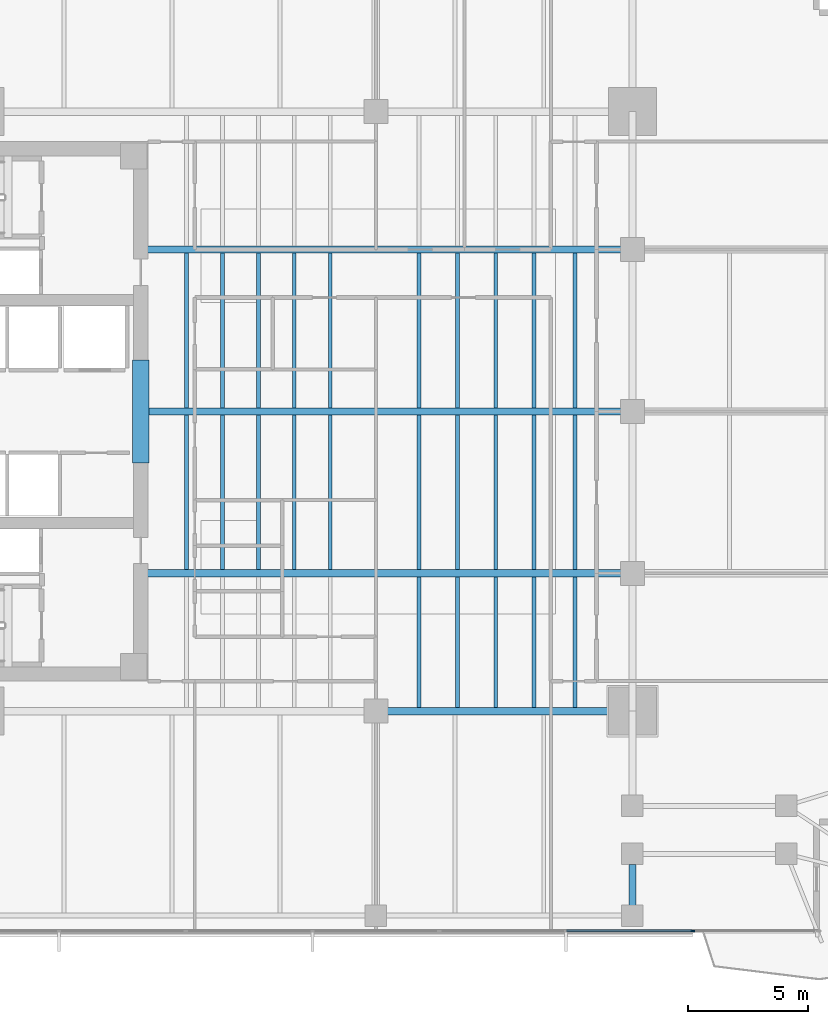
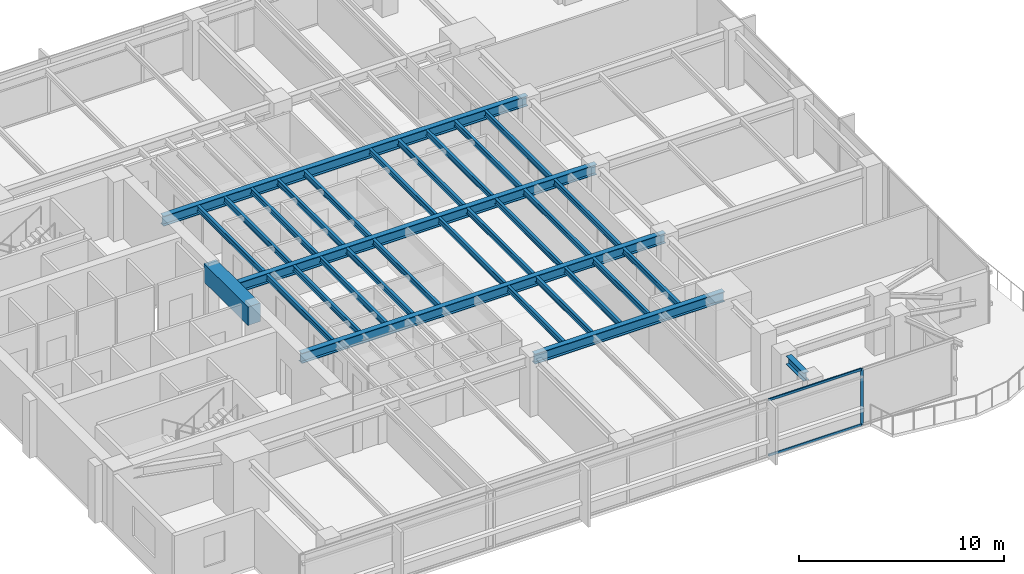
# One storey, part 3 of 14: 31 beams, 3 members, 1 element without a shape of its own.
"""IFC4 building model written with IfcOpenShell, lengths in metres."""

from ifc_helpers import new_model, si_unit, direction, frame, origin, origin_2d, place, context, subcontext, project, spatial, rectangle, i_section, extrude, material, layer, layer_set, material_profile, profile_set, type_object, element, aggregate, save


model = new_model("IFC4")

# Units and contexts
model_context = context("Model", 3, precision=1e-05, world=origin(), true_north=direction((0.0, 1.0)))
body_context = subcontext(model_context, "Body", "Model", "MODEL_VIEW")
ifc_project = project(units=[si_unit("LENGTHUNIT", "METRE"), si_unit("AREAUNIT", "SQUARE_METRE"), si_unit("VOLUMEUNIT", "CUBIC_METRE"), si_unit("PLANEANGLEUNIT", "RADIAN"), si_unit("MASSUNIT", "GRAM", prefix="KILO")], contexts=[model_context])

# Site, building, storey
site_placement = place(None, origin())
site = spatial("IfcSite", under=ifc_project, at=site_placement, CompositionType="ELEMENT")
building_placement = place(site_placement, origin())
building = spatial("IfcBuilding", under=site, at=building_placement, Name="Kinhvarn Gate Tower", CompositionType="ELEMENT")
storey_placement = place(building_placement, frame((0.0, 0.0, 151.949951171875)))
storey = spatial("IfcBuildingStorey", under=building, at=storey_placement, Name="L40", CompositionType="ELEMENT", Elevation=151.949951171875)

# Beam
ifc_material_1 = material(Name="Concrete C70/85", Category="concrete")
ifc_material_profile_1 = material_profile(ifc_material_1, rectangle(XDim=0.699951171875, YDim=1.10009765625, at=origin_2d()), Name="RC 700x1100")
ifc_profile_set_1 = profile_set([ifc_material_profile_1], Name="Concrete C70/85")
beam_type_1 = type_object("IfcBeamType", Name="BM-CB-1100", PredefinedType="LINTEL", material=ifc_profile_set_1)
beam_1_placement = place(storey_placement, frame((17.699951171875, 23.10009765625, 2.820068359375), z_axis=(0.0, 1.0, 0.0), x_axis=(-1.0, 0.0, 0.0)))
element("IfcBeam", 1, at=beam_1_placement, inside=storey, type_object=beam_type_1, Name="Core East Portal Coupling Beam L40", PredefinedType="LINTEL", context=body_context, shape_type="SweptSolid", body=[
    extrude(rectangle(XDim=0.699951171875, YDim=1.10009765625, at=origin_2d()), origin(), (0.0, 0.0, 1.0), 4.2998046875),
])

# Curtain wall, members
ifc_material_2 = material(Name="Anodised aluminium AW-6063", Category="aluminium")
ifc_layer = layer(ifc_material_2, 0.179931640625)
ifc_layer_set = layer_set([ifc_layer], Name="Anodised aluminium AW-6063")
curtain_wall_type = type_object("IfcCurtainWallType", Name="CW-SYS-3", PredefinedType="NOTDEFINED", material=ifc_layer_set)
curtain_wall_placement = place(storey_placement, origin())
curtain_wall = element("IfcCurtainWall", 2, at=curtain_wall_placement, inside=storey, type_object=curtain_wall_type, Name="Curtain Wall CW3 (L40)", PredefinedType="NOTDEFINED")
ifc_material_profile_2 = material_profile(ifc_material_2, rectangle(XDim=0.06494140625, YDim=0.159912109375, at=origin_2d()), Name="ALU 65x160")
ifc_profile_set_2 = profile_set([ifc_material_profile_2], Name="Anodised aluminium AW-6063")
member_type_1 = type_object("IfcMemberType", Name="CW-MUL-160", PredefinedType="MULLION", material=ifc_profile_set_2)
member_1_placement = place(storey_placement, frame((40.71435546875, 3.590087890625, 0.0), z_axis=(0.0, 0.0, 1.0), x_axis=(0.0, 1.0, 0.0)))
member_1 = element("IfcMember", 3, at=member_1_placement, type_object=member_type_1, Name="CW3 mullion 7", PredefinedType="MULLION", context=body_context, shape_type="SweptSolid", body=[
    extrude(rectangle(XDim=0.06494140625, YDim=0.159912109375, at=origin_2d()), origin(), (0.0, 0.0, 1.0), 3.3701171875),
])
ifc_material_profile_3 = material_profile(ifc_material_2, rectangle(XDim=0.070068359375, YDim=0.139892578125, at=origin_2d()), Name="ALU 70x140")
ifc_profile_set_3 = profile_set([ifc_material_profile_3], Name="Anodised aluminium AW-6063")
member_type_2 = type_object("IfcMemberType", Name="CW-TRN-140", PredefinedType="USERDEFINED", material=ifc_profile_set_3)
member_2_placement = place(storey_placement, frame((35.461181640625, 3.590087890625, 0.03515625), z_axis=(1.0, 0.0, 0.0), x_axis=(0.0, 1.0, 0.0)))
member_2 = element("IfcMember", 4, at=member_2_placement, type_object=member_type_2, Name="CW3 transom 6.1", ObjectType="TRANSOM", PredefinedType="USERDEFINED", context=body_context, shape_type="SweptSolid", body=[
    extrude(rectangle(XDim=0.070068359375, YDim=0.139892578125, at=origin_2d()), origin(), (0.0, 0.0, 1.0), 5.220703125),
])
member_3_placement = place(storey_placement, frame((35.461181640625, 3.590087890625, 3.3349609375), z_axis=(1.0, 0.0, 0.0), x_axis=(0.0, 1.0, 0.0)))
member_3 = element("IfcMember", 5, at=member_3_placement, type_object=member_type_2, Name="CW3 transom 6.2", ObjectType="TRANSOM", PredefinedType="USERDEFINED", context=body_context, shape_type="SweptSolid", body=[
    extrude(rectangle(XDim=0.070068359375, YDim=0.139892578125, at=origin_2d()), origin(), (0.0, 0.0, 1.0), 5.220703125),
])
aggregate(curtain_wall, [member_1, member_2, member_3])

# Beams
ifc_material_3 = material(Name="Steel S355", Category="steel")
ifc_material_profile_4 = material_profile(ifc_material_3, i_section(OverallWidth=0.300048828125, OverallDepth=0.5, WebThickness=0.014404296875, FlangeThickness=0.028076171875, at=origin_2d()), Name="HEB 500")
ifc_profile_set_4 = profile_set([ifc_material_profile_4], Name="Steel S355")
beam_type_2 = type_object("IfcBeamType", Name="STL-HEB500", PredefinedType="BEAM", material=ifc_profile_set_4)
beam_2_placement = place(storey_placement, frame((38.199951171875, 4.655029296875, 3.1201171875), z_axis=(0.0, 1.0, 0.0), x_axis=(-1.0, 0.0, 0.0)))
element("IfcBeam", 6, at=beam_2_placement, inside=storey, type_object=beam_type_2, Name="Floor Beam PG-14 (L40 MCE-S-A0)", PredefinedType="BEAM", context=body_context, shape_type="SweptSolid", body=[
    extrude(i_section(OverallWidth=0.300048828125, OverallDepth=0.5, WebThickness=0.014404296875, FlangeThickness=0.028076171875, at=origin_2d()), origin(), (0.0, 0.0, 1.0), 1.7099609375),
])
ifc_material_profile_5 = material_profile(ifc_material_3, i_section(OverallWidth=0.300048828125, OverallDepth=0.60009765625, WebThickness=0.015380859375, FlangeThickness=0.030029296875, at=origin_2d()), Name="HEB 600")
ifc_profile_set_5 = profile_set([ifc_material_profile_5], Name="Steel S355")
beam_type_3 = type_object("IfcBeamType", Name="STL-HEB600", PredefinedType="BEAM", material=ifc_profile_set_5)
beam_3_placement = place(storey_placement, frame((27.5, 12.75, 3.070068359375), z_axis=(1.0, 0.0, 0.0), x_axis=(0.0, 1.0, 0.0)))
element("IfcBeam", 7, at=beam_3_placement, inside=storey, type_object=beam_type_3, Name="Floor Beam PG-16 (L40 MG-S2)", PredefinedType="BEAM", context=body_context, shape_type="SweptSolid", body=[
    extrude(i_section(OverallWidth=0.300048828125, OverallDepth=0.60009765625, WebThickness=0.015380859375, FlangeThickness=0.030029296875, at=origin_2d()), origin(), (0.0, 0.0, 1.0), 10.699951171875),
])
beam_4_placement = place(storey_placement, frame((17.64990234375, 18.5, 3.070068359375), z_axis=(1.0, 0.0, 0.0), x_axis=(0.0, 1.0, 0.0)))
element("IfcBeam", 8, at=beam_4_placement, inside=storey, type_object=beam_type_3, Name="Floor Beam PG-16 (L40 EW1-Y18)", PredefinedType="BEAM", context=body_context, shape_type="SweptSolid", body=[
    extrude(i_section(OverallWidth=0.300048828125, OverallDepth=0.60009765625, WebThickness=0.015380859375, FlangeThickness=0.030029296875, at=origin_2d()), origin(), (0.0, 0.0, 1.0), 20.550048828125),
])
beam_5_placement = place(storey_placement, frame((18.050048828125, 25.25, 3.070068359375), z_axis=(1.0, 0.0, 0.0), x_axis=(0.0, 1.0, 0.0)))
element("IfcBeam", 9, at=beam_5_placement, inside=storey, type_object=beam_type_3, Name="Floor Beam PG-16 (L40 EW1-Y25)", PredefinedType="BEAM", context=body_context, shape_type="SweptSolid", body=[
    extrude(i_section(OverallWidth=0.300048828125, OverallDepth=0.60009765625, WebThickness=0.015380859375, FlangeThickness=0.030029296875, at=origin_2d()), origin(), (0.0, 0.0, 1.0), 20.14990234375),
])
beam_6_placement = place(storey_placement, frame((17.64990234375, 32.0, 3.070068359375), z_axis=(1.0, 0.0, 0.0), x_axis=(0.0, 1.0, 0.0)))
element("IfcBeam", 10, at=beam_6_placement, inside=storey, type_object=beam_type_3, Name="Floor Beam PG-16 (L40 EW1-Y32)", PredefinedType="BEAM", context=body_context, shape_type="SweptSolid", body=[
    extrude(i_section(OverallWidth=0.300048828125, OverallDepth=0.60009765625, WebThickness=0.015380859375, FlangeThickness=0.030029296875, at=origin_2d()), origin(), (0.0, 0.0, 1.0), 20.550048828125),
])
ifc_material_profile_6 = material_profile(ifc_material_3, i_section(OverallWidth=0.159912109375, OverallDepth=0.330078125, WebThickness=0.007568359375, FlangeThickness=0.011474609375, at=origin_2d()), Name="IPE 330")
ifc_profile_set_6 = profile_set([ifc_material_profile_6], Name="Steel S355")
beam_type_4 = type_object("IfcBeamType", Name="STL-IPE330", PredefinedType="JOIST", material=ifc_profile_set_6)
for number, where, z_axis, x_axis, name in (
    (11, (19.60009765625, 18.64990234375, 3.205078125), (0.0, 1.0, 0.0), (-1.0, 0.0, 0.0), "Floor Joist SB-03 (L40 JC-X196-1)"),
    (12, (19.60009765625, 25.39990234375, 3.205078125), (0.0, 1.0, 0.0), (-1.0, 0.0, 0.0), "Floor Joist SB-03 (L40 JC-X196-2)"),
    (13, (21.10009765625, 18.64990234375, 3.205078125), (0.0, 1.0, 0.0), (-1.0, 0.0, 0.0), "Floor Joist SB-03 (L40 JC-X211-1)"),
    (14, (21.10009765625, 25.39990234375, 3.205078125), (0.0, 1.0, 0.0), (-1.0, 0.0, 0.0), "Floor Joist SB-03 (L40 JC-X211-2)"),
    (15, (22.60009765625, 18.64990234375, 3.205078125), (0.0, 1.0, 0.0), (-1.0, 0.0, 0.0), "Floor Joist SB-03 (L40 JC-X226-1)"),
    (16, (22.60009765625, 25.39990234375, 3.205078125), (0.0, 1.0, 0.0), (-1.0, 0.0, 0.0), "Floor Joist SB-03 (L40 JC-X226-2)"),
    (17, (24.10009765625, 18.64990234375, 3.205078125), (0.0, 1.0, 0.0), (-1.0, 0.0, 0.0), "Floor Joist SB-03 (L40 JC-X241-1)"),
    (18, (24.10009765625, 25.39990234375, 3.205078125), (0.0, 1.0, 0.0), (-1.0, 0.0, 0.0), "Floor Joist SB-03 (L40 JC-X241-2)"),
    (19, (25.60009765625, 18.64990234375, 3.205078125), (0.0, 1.0, 0.0), (-1.0, 0.0, 0.0), "Floor Joist SB-03 (L40 JC-X256-1)"),
    (20, (25.60009765625, 25.39990234375, 3.205078125), (0.0, 1.0, 0.0), (-1.0, 0.0, 0.0), "Floor Joist SB-03 (L40 JC-X256-2)"),
):
    element("IfcBeam", number, at=place(storey_placement, frame(where, z_axis=z_axis, x_axis=x_axis)), inside=storey, type_object=beam_type_4, Name=name, PredefinedType="JOIST", context=body_context, shape_type="SweptSolid", body=[
        extrude(i_section(OverallWidth=0.159912109375, OverallDepth=0.330078125, WebThickness=0.007568359375, FlangeThickness=0.011474609375, at=origin_2d()), origin(), (0.0, 0.0, 1.0), 6.4501953125),
    ])
beam_7_placement = place(storey_placement, frame((29.300048828125, 12.89990234375, 3.205078125), z_axis=(0.0, 1.0, 0.0), x_axis=(-1.0, 0.0, 0.0)))
element("IfcBeam", 21, at=beam_7_placement, inside=storey, type_object=beam_type_4, Name="Floor Joist SB-03 (L40 JC-X293-0)", PredefinedType="JOIST", context=body_context, shape_type="SweptSolid", body=[
    extrude(i_section(OverallWidth=0.159912109375, OverallDepth=0.330078125, WebThickness=0.007568359375, FlangeThickness=0.011474609375, at=origin_2d()), origin(), (0.0, 0.0, 1.0), 5.4501953125),
])
for number, where, z_axis, x_axis, name in (
    (22, (29.300048828125, 18.64990234375, 3.205078125), (0.0, 1.0, 0.0), (-1.0, 0.0, 0.0), "Floor Joist SB-03 (L40 JC-X293-1)"),
    (23, (29.300048828125, 25.39990234375, 3.205078125), (0.0, 1.0, 0.0), (-1.0, 0.0, 0.0), "Floor Joist SB-03 (L40 JC-X293-2)"),
):
    element("IfcBeam", number, at=place(storey_placement, frame(where, z_axis=z_axis, x_axis=x_axis)), inside=storey, type_object=beam_type_4, Name=name, PredefinedType="JOIST", context=body_context, shape_type="SweptSolid", body=[
        extrude(i_section(OverallWidth=0.159912109375, OverallDepth=0.330078125, WebThickness=0.007568359375, FlangeThickness=0.011474609375, at=origin_2d()), origin(), (0.0, 0.0, 1.0), 6.4501953125),
    ])
beam_8_placement = place(storey_placement, frame((30.89990234375, 12.89990234375, 3.205078125), z_axis=(0.0, 1.0, 0.0), x_axis=(-1.0, 0.0, 0.0)))
element("IfcBeam", 24, at=beam_8_placement, inside=storey, type_object=beam_type_4, Name="Floor Joist SB-03 (L40 JC-X309-0)", PredefinedType="JOIST", context=body_context, shape_type="SweptSolid", body=[
    extrude(i_section(OverallWidth=0.159912109375, OverallDepth=0.330078125, WebThickness=0.007568359375, FlangeThickness=0.011474609375, at=origin_2d()), origin(), (0.0, 0.0, 1.0), 5.4501953125),
])
for number, where, z_axis, x_axis, name in (
    (25, (30.89990234375, 18.64990234375, 3.205078125), (0.0, 1.0, 0.0), (-1.0, 0.0, 0.0), "Floor Joist SB-03 (L40 JC-X309-1)"),
    (26, (30.89990234375, 25.39990234375, 3.205078125), (0.0, 1.0, 0.0), (-1.0, 0.0, 0.0), "Floor Joist SB-03 (L40 JC-X309-2)"),
):
    element("IfcBeam", number, at=place(storey_placement, frame(where, z_axis=z_axis, x_axis=x_axis)), inside=storey, type_object=beam_type_4, Name=name, PredefinedType="JOIST", context=body_context, shape_type="SweptSolid", body=[
        extrude(i_section(OverallWidth=0.159912109375, OverallDepth=0.330078125, WebThickness=0.007568359375, FlangeThickness=0.011474609375, at=origin_2d()), origin(), (0.0, 0.0, 1.0), 6.4501953125),
    ])
beam_9_placement = place(storey_placement, frame((32.5, 12.89990234375, 3.205078125), z_axis=(0.0, 1.0, 0.0), x_axis=(-1.0, 0.0, 0.0)))
element("IfcBeam", 27, at=beam_9_placement, inside=storey, type_object=beam_type_4, Name="Floor Joist SB-03 (L40 JC-X325-0)", PredefinedType="JOIST", context=body_context, shape_type="SweptSolid", body=[
    extrude(i_section(OverallWidth=0.159912109375, OverallDepth=0.330078125, WebThickness=0.007568359375, FlangeThickness=0.011474609375, at=origin_2d()), origin(), (0.0, 0.0, 1.0), 5.4501953125),
])
for number, where, z_axis, x_axis, name in (
    (28, (32.5, 18.64990234375, 3.205078125), (0.0, 1.0, 0.0), (-1.0, 0.0, 0.0), "Floor Joist SB-03 (L40 JC-X325-1)"),
    (29, (32.5, 25.39990234375, 3.205078125), (0.0, 1.0, 0.0), (-1.0, 0.0, 0.0), "Floor Joist SB-03 (L40 JC-X325-2)"),
):
    element("IfcBeam", number, at=place(storey_placement, frame(where, z_axis=z_axis, x_axis=x_axis)), inside=storey, type_object=beam_type_4, Name=name, PredefinedType="JOIST", context=body_context, shape_type="SweptSolid", body=[
        extrude(i_section(OverallWidth=0.159912109375, OverallDepth=0.330078125, WebThickness=0.007568359375, FlangeThickness=0.011474609375, at=origin_2d()), origin(), (0.0, 0.0, 1.0), 6.4501953125),
    ])
beam_10_placement = place(storey_placement, frame((34.10009765625, 12.89990234375, 3.205078125), z_axis=(0.0, 1.0, 0.0), x_axis=(-1.0, 0.0, 0.0)))
element("IfcBeam", 30, at=beam_10_placement, inside=storey, type_object=beam_type_4, Name="Floor Joist SB-03 (L40 JC-X341-0)", PredefinedType="JOIST", context=body_context, shape_type="SweptSolid", body=[
    extrude(i_section(OverallWidth=0.159912109375, OverallDepth=0.330078125, WebThickness=0.007568359375, FlangeThickness=0.011474609375, at=origin_2d()), origin(), (0.0, 0.0, 1.0), 5.4501953125),
])
for number, where, z_axis, x_axis, name in (
    (31, (34.10009765625, 18.64990234375, 3.205078125), (0.0, 1.0, 0.0), (-1.0, 0.0, 0.0), "Floor Joist SB-03 (L40 JC-X341-1)"),
    (32, (34.10009765625, 25.39990234375, 3.205078125), (0.0, 1.0, 0.0), (-1.0, 0.0, 0.0), "Floor Joist SB-03 (L40 JC-X341-2)"),
):
    element("IfcBeam", number, at=place(storey_placement, frame(where, z_axis=z_axis, x_axis=x_axis)), inside=storey, type_object=beam_type_4, Name=name, PredefinedType="JOIST", context=body_context, shape_type="SweptSolid", body=[
        extrude(i_section(OverallWidth=0.159912109375, OverallDepth=0.330078125, WebThickness=0.007568359375, FlangeThickness=0.011474609375, at=origin_2d()), origin(), (0.0, 0.0, 1.0), 6.4501953125),
    ])
beam_11_placement = place(storey_placement, frame((35.800048828125, 12.89990234375, 3.205078125), z_axis=(0.0, 1.0, 0.0), x_axis=(-1.0, 0.0, 0.0)))
element("IfcBeam", 33, at=beam_11_placement, inside=storey, type_object=beam_type_4, Name="Floor Joist SB-03 (L40 JC-X358-0)", PredefinedType="JOIST", context=body_context, shape_type="SweptSolid", body=[
    extrude(i_section(OverallWidth=0.159912109375, OverallDepth=0.330078125, WebThickness=0.007568359375, FlangeThickness=0.011474609375, at=origin_2d()), origin(), (0.0, 0.0, 1.0), 5.4501953125),
])
for number, where, z_axis, x_axis, name in (
    (34, (35.800048828125, 18.64990234375, 3.205078125), (0.0, 1.0, 0.0), (-1.0, 0.0, 0.0), "Floor Joist SB-03 (L40 JC-X358-1)"),
    (35, (35.800048828125, 25.39990234375, 3.205078125), (0.0, 1.0, 0.0), (-1.0, 0.0, 0.0), "Floor Joist SB-03 (L40 JC-X358-2)"),
):
    element("IfcBeam", number, at=place(storey_placement, frame(where, z_axis=z_axis, x_axis=x_axis)), inside=storey, type_object=beam_type_4, Name=name, PredefinedType="JOIST", context=body_context, shape_type="SweptSolid", body=[
        extrude(i_section(OverallWidth=0.159912109375, OverallDepth=0.330078125, WebThickness=0.007568359375, FlangeThickness=0.011474609375, at=origin_2d()), origin(), (0.0, 0.0, 1.0), 6.4501953125),
    ])

save(model, "model.ifc")
